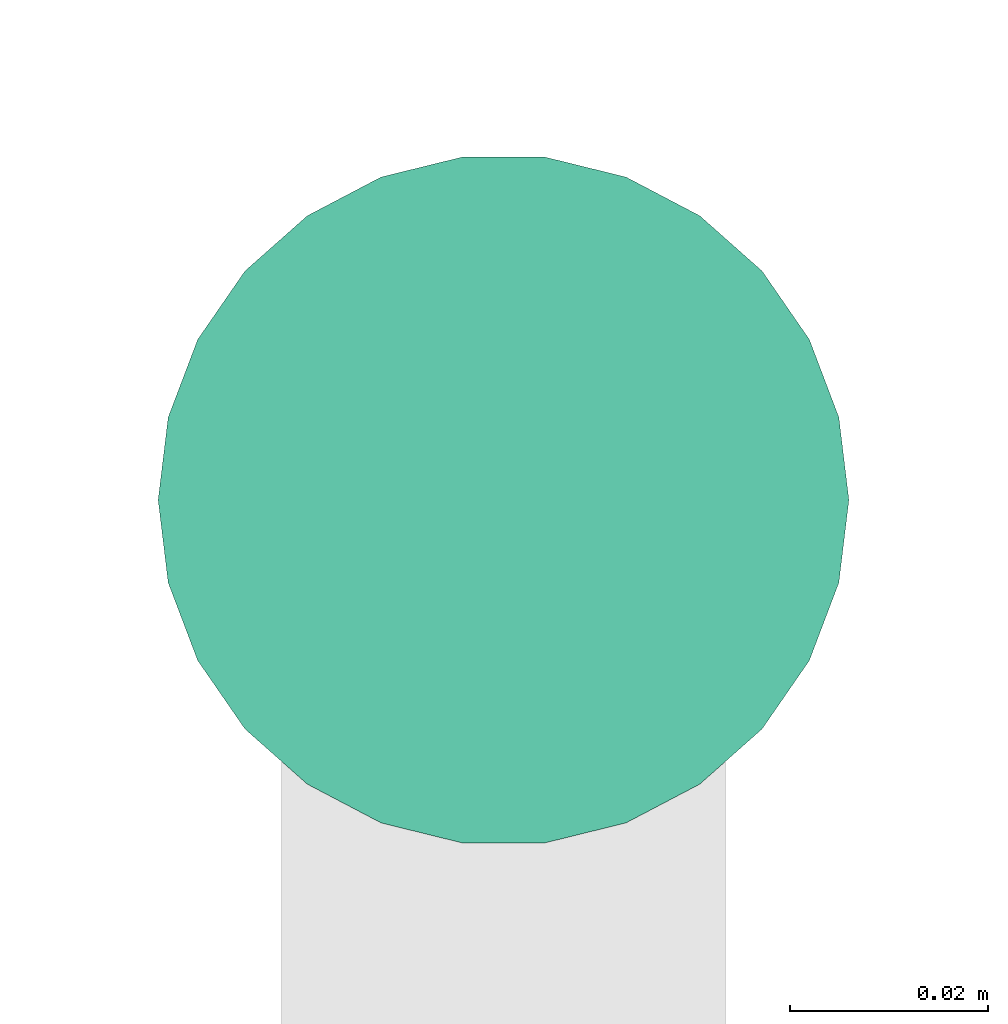
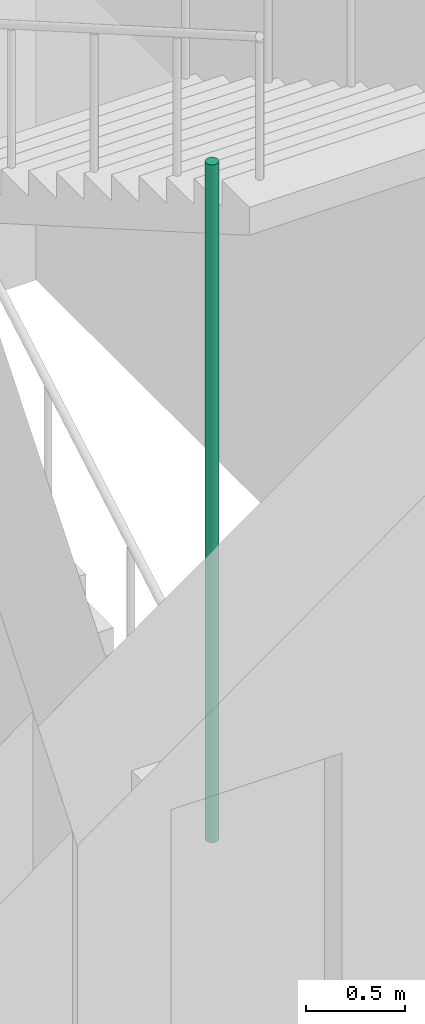
# One storey, part 34 of 37: 1 pipe segment.
"""IFC4 building model written with IfcOpenShell, lengths in metres."""

from ifc_helpers import new_model, si_unit, direction, frame, origin, origin_2d, place, context, subcontext, project, spatial, circle, extrude, element, save


model = new_model("IFC4")

# Units and contexts
model_context = context("Model", 3, precision=1e-05, world=origin(), true_north=direction((0.0, 1.0)))
body_context = subcontext(model_context, "Body", "Model", "MODEL_VIEW")
ifc_project = project(units=[si_unit("LENGTHUNIT", "METRE"), si_unit("AREAUNIT", "SQUARE_METRE"), si_unit("VOLUMEUNIT", "CUBIC_METRE"), si_unit("PLANEANGLEUNIT", "RADIAN"), si_unit("MASSUNIT", "GRAM", prefix="KILO")], contexts=[model_context])

# Site, building, storey
site_placement = place(None, origin())
site = spatial("IfcSite", under=ifc_project, at=site_placement, CompositionType="ELEMENT")
building_placement = place(site_placement, origin())
building = spatial("IfcBuilding", under=site, at=building_placement, Name="Nzadi Deep Aquarium and Research Tower", CompositionType="ELEMENT")
storey_placement = place(building_placement, frame((0.0, 0.0, 57.10009765625)))
storey = spatial("IfcBuildingStorey", under=building, at=storey_placement, Name="L11", CompositionType="ELEMENT", Elevation=57.10009765625)

# Pipe segment
pipe_segment_placement = place(storey_placement, frame((25.10009765625, 13.719970703125, 0.0), z_axis=(0.0, 0.0, 1.0), x_axis=(1.0, 0.0, 0.0)))
element("IfcPipeSegment", 1, at=pipe_segment_placement, inside=storey, Name="Dry riser ST-Z1-SE L11", PredefinedType="RIGIDSEGMENT", context=body_context, shape_type="SweptSolid", body=[
    extrude(circle(Radius=0.034912109375, at=origin_2d()), origin(), (0.0, 0.0, 1.0), 4.199951171875),
])

save(model, "model.ifc")
